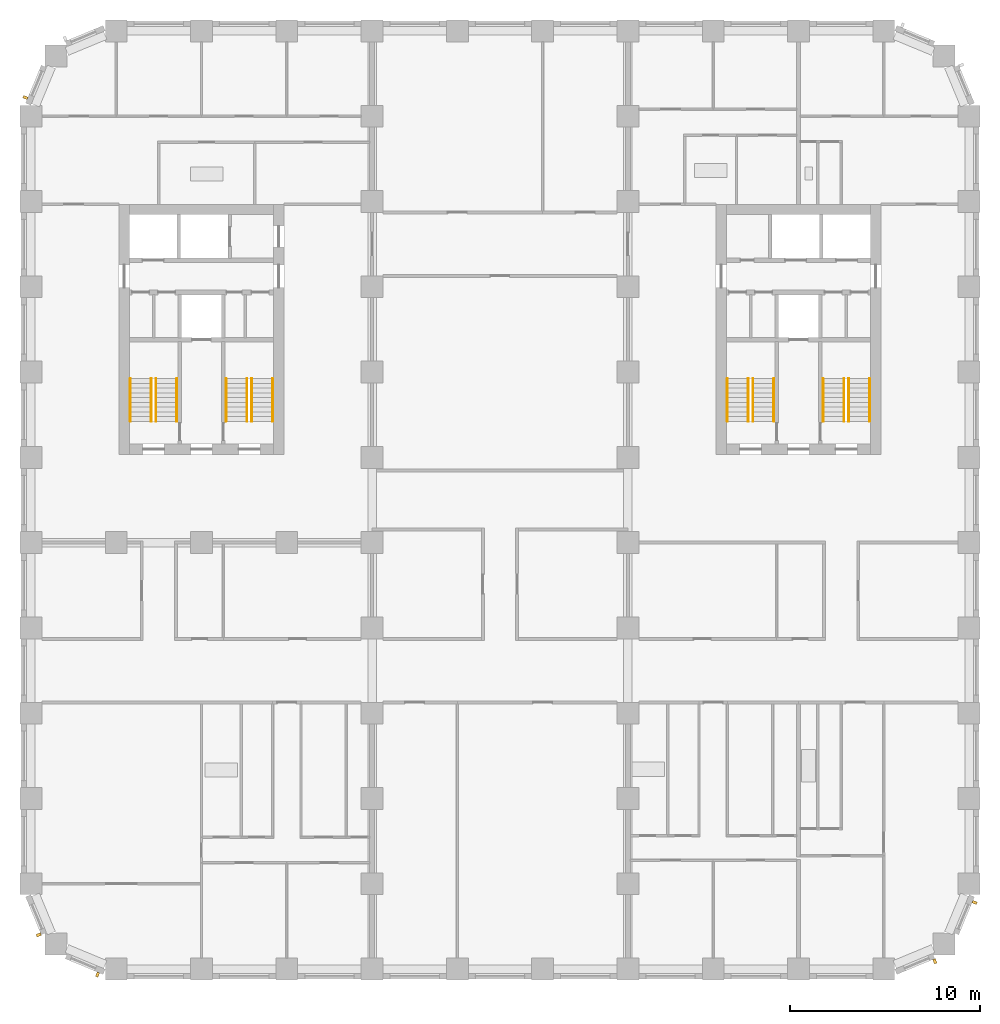
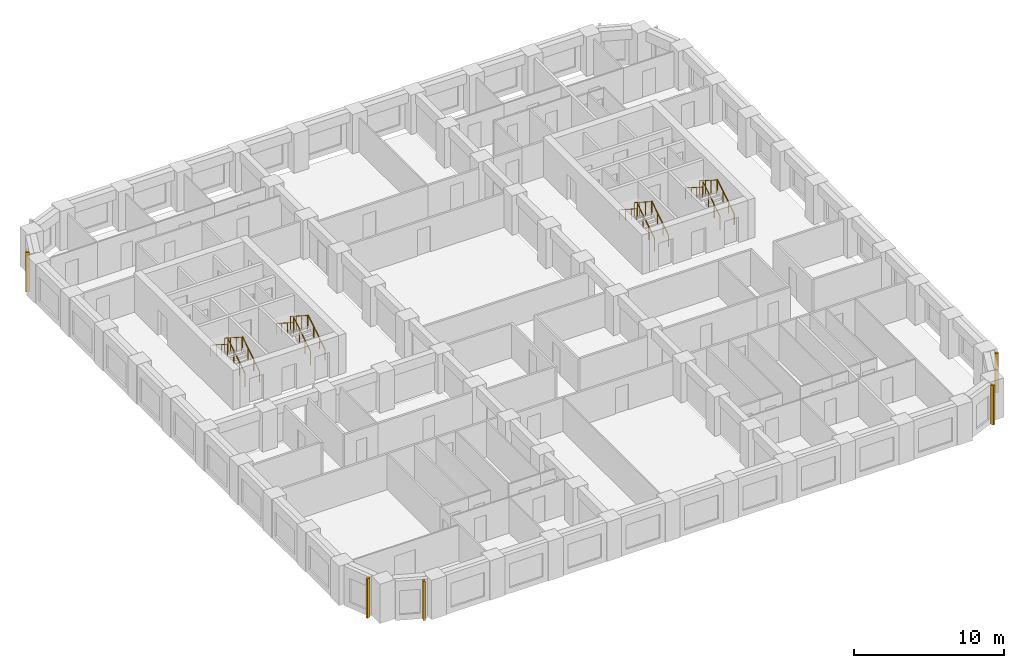
# One storey, part 10 of 12: 16 railings, 5 shading devices.
"""IFC4 building model written with IfcOpenShell, lengths in metres."""

from ifc_helpers import new_model, si_unit, direction, frame, origin, origin_2d, place, context, subcontext, project, spatial, rectangle, circle, extrude, material, type_object, element, save


model = new_model("IFC4")

# Units and contexts
model_context = context("Model", 3, precision=1e-05, world=origin(), true_north=direction((0.0, 1.0)))
body_context = subcontext(model_context, "Body", "Model", "MODEL_VIEW")
ifc_project = project(units=[si_unit("LENGTHUNIT", "METRE"), si_unit("AREAUNIT", "SQUARE_METRE"), si_unit("VOLUMEUNIT", "CUBIC_METRE"), si_unit("PLANEANGLEUNIT", "RADIAN"), si_unit("MASSUNIT", "GRAM", prefix="KILO")], contexts=[model_context])

# Site, building, storey
site_placement = place(None, origin())
site = spatial("IfcSite", under=ifc_project, at=site_placement, CompositionType="ELEMENT")
building_placement = place(site_placement, origin())
building = spatial("IfcBuilding", under=site, at=building_placement, Name="Girih Gate Residences", CompositionType="ELEMENT")
storey_placement = place(building_placement, frame((0.0, 0.0, 112.0)))
storey = spatial("IfcBuildingStorey", under=building, at=storey_placement, Name="L31", CompositionType="ELEMENT", Elevation=112.0)

# Shading devices
ifc_material_1 = material(Name="Precast concrete C50/60", Category="concrete")
shading_device_type = type_object("IfcShadingDeviceType", Name="Corner rib 150x250", PredefinedType="USERDEFINED", material=ifc_material_1)
for number, where, z_axis, x_axis, name in (
    (1, (0.412353515625, 1.8056640625, 0.0), (0.0, 0.0, 1.0), (0.382683432365, -0.923879532511, 0.0), "Corner rib SW0000_0045.0"),
    (2, (3.514892578125, -0.29541015625, 0.0), (0.0, 0.0, 1.0), (0.923879532511, -0.382683432365, 0.0), "Corner rib SW0013_0013.0"),
    (3, (47.6943359375, 0.412353515625, 0.0), (0.0, 0.0, 1.0), (0.923879532511, 0.382683432365, 0.0), "Corner rib SE0450_0000.0"),
    (4, (49.79541015625, 3.514892578125, 0.0), (0.0, 0.0, 1.0), (0.382683432365, 0.923879532511, 0.0), "Corner rib SE0482_0013.0"),
    (5, (-0.29541015625, 45.985107421875, 0.0), (0.0, 0.0, 1.0), (-0.382683432365, -0.923879532511, 0.0), "Corner rib NW0013_0482.0"),
):
    element("IfcShadingDevice", number, at=place(storey_placement, frame(where, z_axis=z_axis, x_axis=x_axis)), inside=storey, type_object=shading_device_type, Name=name, ObjectType="FIN", PredefinedType="USERDEFINED", context=body_context, shape_type="SweptSolid", body=[
        extrude(rectangle(XDim=0.14990234375, YDim=0.25, at=origin_2d()), origin(), (0.0, 0.0, 1.0), 3.199951171875),
    ])

# Railings
ifc_material_2 = material(Name="Stainless steel", Category="steel")
railing_type_1 = type_object("IfcRailingType", Name="Stair guard 1100", PredefinedType="GUARDRAIL", material=ifc_material_2)
railing_1_placement = place(storey_placement, frame((6.60009765625, 28.89990234375, 0.159912109375)))
element("IfcRailing", 6, at=railing_1_placement, inside=storey, type_object=railing_type_1, Name="L31 ST-W1 stair guard 1", PredefinedType="GUARDRAIL", context=body_context, shape_type="SweptSolid", body=[
    extrude(circle(Radius=0.02392578125, at=origin_2d()), frame((0.0, 0.0, 1.076171875), z_axis=(0.0, 0.842239864353, 0.539102968731), x_axis=(-1.0, 0.0, 0.0)), (0.0, 0.0, 1.0), 2.67138671875),
    extrude(circle(Radius=0.02099609375, at=origin_2d()), origin(), (0.0, 0.0, 1.0), 1.052001953125),
    extrude(circle(Radius=0.02099609375, at=origin_2d()), frame((0.0, 0.75, 0.47998046875)), (0.0, 0.0, 1.0), 1.052001953125),
    extrude(circle(Radius=0.02099609375, at=origin_2d()), frame((0.0, 1.5, 0.960205078125)), (0.0, 0.0, 1.0), 1.052001953125),
    extrude(circle(Radius=0.02099609375, at=origin_2d()), frame((0.0, 2.25, 1.440185546875)), (0.0, 0.0, 1.0), 1.052001953125),
])
railing_2_placement = place(storey_placement, frame((6.35009765625, 31.14990234375, 1.760009765625)))
element("IfcRailing", 7, at=railing_2_placement, inside=storey, type_object=railing_type_1, Name="L31 ST-W1 stair guard 2", PredefinedType="GUARDRAIL", context=body_context, shape_type="SweptSolid", body=[
    extrude(circle(Radius=0.02392578125, at=origin_2d()), frame((0.0, 0.0, 1.076171875), z_axis=(0.0, -0.842281359387, 0.539038135598), x_axis=(1.0, 0.0, 0.0)), (0.0, 0.0, 1.0), 2.67138671875),
    extrude(circle(Radius=0.02099609375, at=origin_2d()), origin(), (0.0, 0.0, 1.0), 1.052001953125),
    extrude(circle(Radius=0.02099609375, at=origin_2d()), frame((0.0, -0.75, 0.47998046875)), (0.0, 0.0, 1.0), 1.052001953125),
    extrude(circle(Radius=0.02099609375, at=origin_2d()), frame((0.0, -1.5, 0.9599609375)), (0.0, 0.0, 1.0), 1.052001953125),
    extrude(circle(Radius=0.02099609375, at=origin_2d()), frame((0.0, -2.25, 1.43994140625)), (0.0, 0.0, 1.0), 1.052001953125),
])
railing_3_placement = place(storey_placement, frame((11.64990234375, 28.89990234375, 0.159912109375)))
element("IfcRailing", 8, at=railing_3_placement, inside=storey, type_object=railing_type_1, Name="L31 ST-W2 stair guard 1", PredefinedType="GUARDRAIL", context=body_context, shape_type="SweptSolid", body=[
    extrude(circle(Radius=0.02392578125, at=origin_2d()), frame((0.0, 0.0, 1.076171875), z_axis=(0.0, 0.842239864353, 0.539102968731), x_axis=(-1.0, 0.0, 0.0)), (0.0, 0.0, 1.0), 2.67138671875),
    extrude(circle(Radius=0.02099609375, at=origin_2d()), origin(), (0.0, 0.0, 1.0), 1.052001953125),
    extrude(circle(Radius=0.02099609375, at=origin_2d()), frame((0.0, 0.75, 0.47998046875)), (0.0, 0.0, 1.0), 1.052001953125),
    extrude(circle(Radius=0.02099609375, at=origin_2d()), frame((0.0, 1.5, 0.960205078125)), (0.0, 0.0, 1.0), 1.052001953125),
    extrude(circle(Radius=0.02099609375, at=origin_2d()), frame((0.0, 2.25, 1.440185546875)), (0.0, 0.0, 1.0), 1.052001953125),
])
railing_4_placement = place(storey_placement, frame((11.39990234375, 31.14990234375, 1.760009765625)))
element("IfcRailing", 9, at=railing_4_placement, inside=storey, type_object=railing_type_1, Name="L31 ST-W2 stair guard 2", PredefinedType="GUARDRAIL", context=body_context, shape_type="SweptSolid", body=[
    extrude(circle(Radius=0.02392578125, at=origin_2d()), frame((0.0, 0.0, 1.076171875), z_axis=(0.0, -0.842281359387, 0.539038135598), x_axis=(1.0, 0.0, 0.0)), (0.0, 0.0, 1.0), 2.67138671875),
    extrude(circle(Radius=0.02099609375, at=origin_2d()), origin(), (0.0, 0.0, 1.0), 1.052001953125),
    extrude(circle(Radius=0.02099609375, at=origin_2d()), frame((0.0, -0.75, 0.47998046875)), (0.0, 0.0, 1.0), 1.052001953125),
    extrude(circle(Radius=0.02099609375, at=origin_2d()), frame((0.0, -1.5, 0.9599609375)), (0.0, 0.0, 1.0), 1.052001953125),
    extrude(circle(Radius=0.02099609375, at=origin_2d()), frame((0.0, -2.25, 1.43994140625)), (0.0, 0.0, 1.0), 1.052001953125),
])
railing_5_placement = place(storey_placement, frame((43.14990234375, 28.89990234375, 0.159912109375)))
element("IfcRailing", 10, at=railing_5_placement, inside=storey, type_object=railing_type_1, Name="L31 ST-E1 stair guard 1", PredefinedType="GUARDRAIL", context=body_context, shape_type="SweptSolid", body=[
    extrude(circle(Radius=0.02392578125, at=origin_2d()), frame((0.0, 0.0, 1.076171875), z_axis=(0.0, 0.842239864353, 0.539102968731), x_axis=(-1.0, 0.0, 0.0)), (0.0, 0.0, 1.0), 2.67138671875),
    extrude(circle(Radius=0.02099609375, at=origin_2d()), origin(), (0.0, 0.0, 1.0), 1.052001953125),
    extrude(circle(Radius=0.02099609375, at=origin_2d()), frame((0.0, 0.75, 0.47998046875)), (0.0, 0.0, 1.0), 1.052001953125),
    extrude(circle(Radius=0.02099609375, at=origin_2d()), frame((0.0, 1.5, 0.960205078125)), (0.0, 0.0, 1.0), 1.052001953125),
    extrude(circle(Radius=0.02099609375, at=origin_2d()), frame((0.0, 2.25, 1.440185546875)), (0.0, 0.0, 1.0), 1.052001953125),
])
railing_6_placement = place(storey_placement, frame((42.89990234375, 31.14990234375, 1.760009765625)))
element("IfcRailing", 11, at=railing_6_placement, inside=storey, type_object=railing_type_1, Name="L31 ST-E1 stair guard 2", PredefinedType="GUARDRAIL", context=body_context, shape_type="SweptSolid", body=[
    extrude(circle(Radius=0.02392578125, at=origin_2d()), frame((0.0, 0.0, 1.076171875), z_axis=(0.0, -0.842281359387, 0.539038135598), x_axis=(1.0, 0.0, 0.0)), (0.0, 0.0, 1.0), 2.67138671875),
    extrude(circle(Radius=0.02099609375, at=origin_2d()), origin(), (0.0, 0.0, 1.0), 1.052001953125),
    extrude(circle(Radius=0.02099609375, at=origin_2d()), frame((0.0, -0.75, 0.47998046875)), (0.0, 0.0, 1.0), 1.052001953125),
    extrude(circle(Radius=0.02099609375, at=origin_2d()), frame((0.0, -1.5, 0.9599609375)), (0.0, 0.0, 1.0), 1.052001953125),
    extrude(circle(Radius=0.02099609375, at=origin_2d()), frame((0.0, -2.25, 1.43994140625)), (0.0, 0.0, 1.0), 1.052001953125),
])
railing_7_placement = place(storey_placement, frame((38.10009765625, 28.89990234375, 0.159912109375)))
element("IfcRailing", 12, at=railing_7_placement, inside=storey, type_object=railing_type_1, Name="L31 ST-E2 stair guard 1", PredefinedType="GUARDRAIL", context=body_context, shape_type="SweptSolid", body=[
    extrude(circle(Radius=0.02392578125, at=origin_2d()), frame((0.0, 0.0, 1.076171875), z_axis=(0.0, 0.842239864353, 0.539102968731), x_axis=(-1.0, 0.0, 0.0)), (0.0, 0.0, 1.0), 2.67138671875),
    extrude(circle(Radius=0.02099609375, at=origin_2d()), origin(), (0.0, 0.0, 1.0), 1.052001953125),
    extrude(circle(Radius=0.02099609375, at=origin_2d()), frame((0.0, 0.75, 0.47998046875)), (0.0, 0.0, 1.0), 1.052001953125),
    extrude(circle(Radius=0.02099609375, at=origin_2d()), frame((0.0, 1.5, 0.960205078125)), (0.0, 0.0, 1.0), 1.052001953125),
    extrude(circle(Radius=0.02099609375, at=origin_2d()), frame((0.0, 2.25, 1.440185546875)), (0.0, 0.0, 1.0), 1.052001953125),
])
railing_8_placement = place(storey_placement, frame((37.85009765625, 31.14990234375, 1.760009765625)))
element("IfcRailing", 13, at=railing_8_placement, inside=storey, type_object=railing_type_1, Name="L31 ST-E2 stair guard 2", PredefinedType="GUARDRAIL", context=body_context, shape_type="SweptSolid", body=[
    extrude(circle(Radius=0.02392578125, at=origin_2d()), frame((0.0, 0.0, 1.076171875), z_axis=(0.0, -0.842281359387, 0.539038135598), x_axis=(1.0, 0.0, 0.0)), (0.0, 0.0, 1.0), 2.67138671875),
    extrude(circle(Radius=0.02099609375, at=origin_2d()), origin(), (0.0, 0.0, 1.0), 1.052001953125),
    extrude(circle(Radius=0.02099609375, at=origin_2d()), frame((0.0, -0.75, 0.47998046875)), (0.0, 0.0, 1.0), 1.052001953125),
    extrude(circle(Radius=0.02099609375, at=origin_2d()), frame((0.0, -1.5, 0.9599609375)), (0.0, 0.0, 1.0), 1.052001953125),
    extrude(circle(Radius=0.02099609375, at=origin_2d()), frame((0.0, -2.25, 1.43994140625)), (0.0, 0.0, 1.0), 1.052001953125),
])
railing_type_2 = type_object("IfcRailingType", Name="Stair handrail 900", PredefinedType="HANDRAIL", material=ifc_material_2)
railing_9_placement = place(storey_placement, frame((7.699951171875, 28.89990234375, 0.159912109375)))
element("IfcRailing", 14, at=railing_9_placement, inside=storey, type_object=railing_type_2, Name="L31 ST-W1 stair handrail 1", PredefinedType="HANDRAIL", context=body_context, shape_type="SweptSolid", body=[
    extrude(circle(Radius=0.02392578125, at=origin_2d()), frame((0.0, 0.0, 0.8857421875), z_axis=(0.0, 0.842239864353, 0.539102968731), x_axis=(-1.0, 0.0, 0.0)), (0.0, 0.0, 1.0), 2.67138671875),
    extrude(circle(Radius=0.02099609375, at=origin_2d()), origin(), (0.0, 0.0, 1.0), 0.86181640625),
    extrude(circle(Radius=0.02099609375, at=origin_2d()), frame((0.0, 0.75, 0.47998046875)), (0.0, 0.0, 1.0), 0.86181640625),
    extrude(circle(Radius=0.02099609375, at=origin_2d()), frame((0.0, 1.5, 0.960205078125)), (0.0, 0.0, 1.0), 0.86181640625),
    extrude(circle(Radius=0.02099609375, at=origin_2d()), frame((0.0, 2.25, 1.440185546875)), (0.0, 0.0, 1.0), 0.86181640625),
])
railing_10_placement = place(storey_placement, frame((5.25, 31.14990234375, 1.760009765625)))
element("IfcRailing", 15, at=railing_10_placement, inside=storey, type_object=railing_type_2, Name="L31 ST-W1 stair handrail 2", PredefinedType="HANDRAIL", context=body_context, shape_type="SweptSolid", body=[
    extrude(circle(Radius=0.02392578125, at=origin_2d()), frame((0.0, 0.0, 0.8857421875), z_axis=(0.0, -0.842281359387, 0.539038135598), x_axis=(1.0, 0.0, 0.0)), (0.0, 0.0, 1.0), 2.67138671875),
    extrude(circle(Radius=0.02099609375, at=origin_2d()), origin(), (0.0, 0.0, 1.0), 0.86181640625),
    extrude(circle(Radius=0.02099609375, at=origin_2d()), frame((0.0, -0.75, 0.47998046875)), (0.0, 0.0, 1.0), 0.86181640625),
    extrude(circle(Radius=0.02099609375, at=origin_2d()), frame((0.0, -1.5, 0.9599609375)), (0.0, 0.0, 1.0), 0.86181640625),
    extrude(circle(Radius=0.02099609375, at=origin_2d()), frame((0.0, -2.25, 1.43994140625)), (0.0, 0.0, 1.0), 0.86181640625),
])
railing_11_placement = place(storey_placement, frame((12.75, 28.89990234375, 0.159912109375)))
element("IfcRailing", 16, at=railing_11_placement, inside=storey, type_object=railing_type_2, Name="L31 ST-W2 stair handrail 1", PredefinedType="HANDRAIL", context=body_context, shape_type="SweptSolid", body=[
    extrude(circle(Radius=0.02392578125, at=origin_2d()), frame((0.0, 0.0, 0.8857421875), z_axis=(0.0, 0.842239864353, 0.539102968731), x_axis=(-1.0, 0.0, 0.0)), (0.0, 0.0, 1.0), 2.67138671875),
    extrude(circle(Radius=0.02099609375, at=origin_2d()), origin(), (0.0, 0.0, 1.0), 0.86181640625),
    extrude(circle(Radius=0.02099609375, at=origin_2d()), frame((0.0, 0.75, 0.47998046875)), (0.0, 0.0, 1.0), 0.86181640625),
    extrude(circle(Radius=0.02099609375, at=origin_2d()), frame((0.0, 1.5, 0.960205078125)), (0.0, 0.0, 1.0), 0.86181640625),
    extrude(circle(Radius=0.02099609375, at=origin_2d()), frame((0.0, 2.25, 1.440185546875)), (0.0, 0.0, 1.0), 0.86181640625),
])
railing_12_placement = place(storey_placement, frame((10.300048828125, 31.14990234375, 1.760009765625)))
element("IfcRailing", 17, at=railing_12_placement, inside=storey, type_object=railing_type_2, Name="L31 ST-W2 stair handrail 2", PredefinedType="HANDRAIL", context=body_context, shape_type="SweptSolid", body=[
    extrude(circle(Radius=0.02392578125, at=origin_2d()), frame((0.0, 0.0, 0.8857421875), z_axis=(0.0, -0.842281359387, 0.539038135598), x_axis=(1.0, 0.0, 0.0)), (0.0, 0.0, 1.0), 2.67138671875),
    extrude(circle(Radius=0.02099609375, at=origin_2d()), origin(), (0.0, 0.0, 1.0), 0.86181640625),
    extrude(circle(Radius=0.02099609375, at=origin_2d()), frame((0.0, -0.75, 0.47998046875)), (0.0, 0.0, 1.0), 0.86181640625),
    extrude(circle(Radius=0.02099609375, at=origin_2d()), frame((0.0, -1.5, 0.9599609375)), (0.0, 0.0, 1.0), 0.86181640625),
    extrude(circle(Radius=0.02099609375, at=origin_2d()), frame((0.0, -2.25, 1.43994140625)), (0.0, 0.0, 1.0), 0.86181640625),
])
railing_13_placement = place(storey_placement, frame((44.25, 28.89990234375, 0.159912109375)))
element("IfcRailing", 18, at=railing_13_placement, inside=storey, type_object=railing_type_2, Name="L31 ST-E1 stair handrail 1", PredefinedType="HANDRAIL", context=body_context, shape_type="SweptSolid", body=[
    extrude(circle(Radius=0.02392578125, at=origin_2d()), frame((0.0, 0.0, 0.8857421875), z_axis=(0.0, 0.842239864353, 0.539102968731), x_axis=(-1.0, 0.0, 0.0)), (0.0, 0.0, 1.0), 2.67138671875),
    extrude(circle(Radius=0.02099609375, at=origin_2d()), origin(), (0.0, 0.0, 1.0), 0.86181640625),
    extrude(circle(Radius=0.02099609375, at=origin_2d()), frame((0.0, 0.75, 0.47998046875)), (0.0, 0.0, 1.0), 0.86181640625),
    extrude(circle(Radius=0.02099609375, at=origin_2d()), frame((0.0, 1.5, 0.960205078125)), (0.0, 0.0, 1.0), 0.86181640625),
    extrude(circle(Radius=0.02099609375, at=origin_2d()), frame((0.0, 2.25, 1.440185546875)), (0.0, 0.0, 1.0), 0.86181640625),
])
railing_14_placement = place(storey_placement, frame((41.800048828125, 31.14990234375, 1.760009765625)))
element("IfcRailing", 19, at=railing_14_placement, inside=storey, type_object=railing_type_2, Name="L31 ST-E1 stair handrail 2", PredefinedType="HANDRAIL", context=body_context, shape_type="SweptSolid", body=[
    extrude(circle(Radius=0.02392578125, at=origin_2d()), frame((0.0, 0.0, 0.8857421875), z_axis=(0.0, -0.842281359387, 0.539038135598), x_axis=(1.0, 0.0, 0.0)), (0.0, 0.0, 1.0), 2.67138671875),
    extrude(circle(Radius=0.02099609375, at=origin_2d()), origin(), (0.0, 0.0, 1.0), 0.86181640625),
    extrude(circle(Radius=0.02099609375, at=origin_2d()), frame((0.0, -0.75, 0.47998046875)), (0.0, 0.0, 1.0), 0.86181640625),
    extrude(circle(Radius=0.02099609375, at=origin_2d()), frame((0.0, -1.5, 0.9599609375)), (0.0, 0.0, 1.0), 0.86181640625),
    extrude(circle(Radius=0.02099609375, at=origin_2d()), frame((0.0, -2.25, 1.43994140625)), (0.0, 0.0, 1.0), 0.86181640625),
])
railing_15_placement = place(storey_placement, frame((39.199951171875, 28.89990234375, 0.159912109375)))
element("IfcRailing", 20, at=railing_15_placement, inside=storey, type_object=railing_type_2, Name="L31 ST-E2 stair handrail 1", PredefinedType="HANDRAIL", context=body_context, shape_type="SweptSolid", body=[
    extrude(circle(Radius=0.02392578125, at=origin_2d()), frame((0.0, 0.0, 0.8857421875), z_axis=(0.0, 0.842239864353, 0.539102968731), x_axis=(-1.0, 0.0, 0.0)), (0.0, 0.0, 1.0), 2.67138671875),
    extrude(circle(Radius=0.02099609375, at=origin_2d()), origin(), (0.0, 0.0, 1.0), 0.86181640625),
    extrude(circle(Radius=0.02099609375, at=origin_2d()), frame((0.0, 0.75, 0.47998046875)), (0.0, 0.0, 1.0), 0.86181640625),
    extrude(circle(Radius=0.02099609375, at=origin_2d()), frame((0.0, 1.5, 0.960205078125)), (0.0, 0.0, 1.0), 0.86181640625),
    extrude(circle(Radius=0.02099609375, at=origin_2d()), frame((0.0, 2.25, 1.440185546875)), (0.0, 0.0, 1.0), 0.86181640625),
])
railing_16_placement = place(storey_placement, frame((36.75, 31.14990234375, 1.760009765625)))
element("IfcRailing", 21, at=railing_16_placement, inside=storey, type_object=railing_type_2, Name="L31 ST-E2 stair handrail 2", PredefinedType="HANDRAIL", context=body_context, shape_type="SweptSolid", body=[
    extrude(circle(Radius=0.02392578125, at=origin_2d()), frame((0.0, 0.0, 0.8857421875), z_axis=(0.0, -0.842281359387, 0.539038135598), x_axis=(1.0, 0.0, 0.0)), (0.0, 0.0, 1.0), 2.67138671875),
    extrude(circle(Radius=0.02099609375, at=origin_2d()), origin(), (0.0, 0.0, 1.0), 0.86181640625),
    extrude(circle(Radius=0.02099609375, at=origin_2d()), frame((0.0, -0.75, 0.47998046875)), (0.0, 0.0, 1.0), 0.86181640625),
    extrude(circle(Radius=0.02099609375, at=origin_2d()), frame((0.0, -1.5, 0.9599609375)), (0.0, 0.0, 1.0), 0.86181640625),
    extrude(circle(Radius=0.02099609375, at=origin_2d()), frame((0.0, -2.25, 1.43994140625)), (0.0, 0.0, 1.0), 0.86181640625),
])

save(model, "model.ifc")
